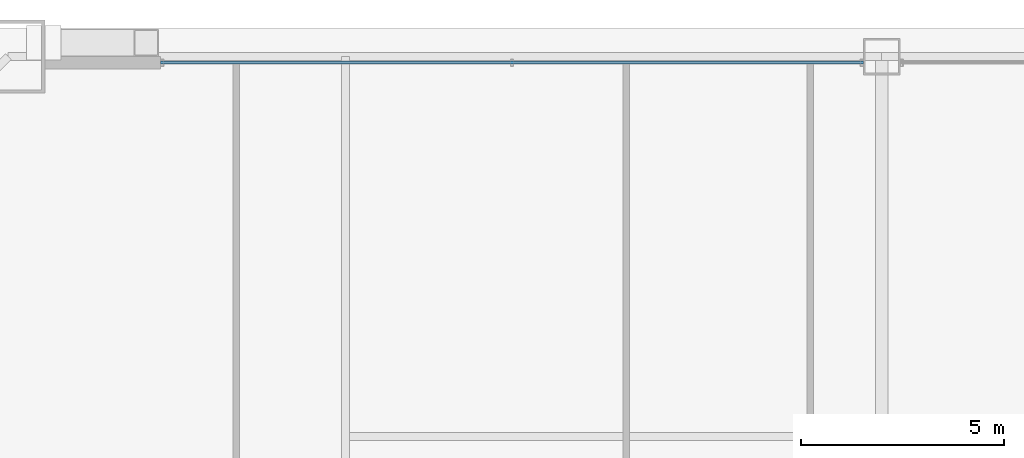
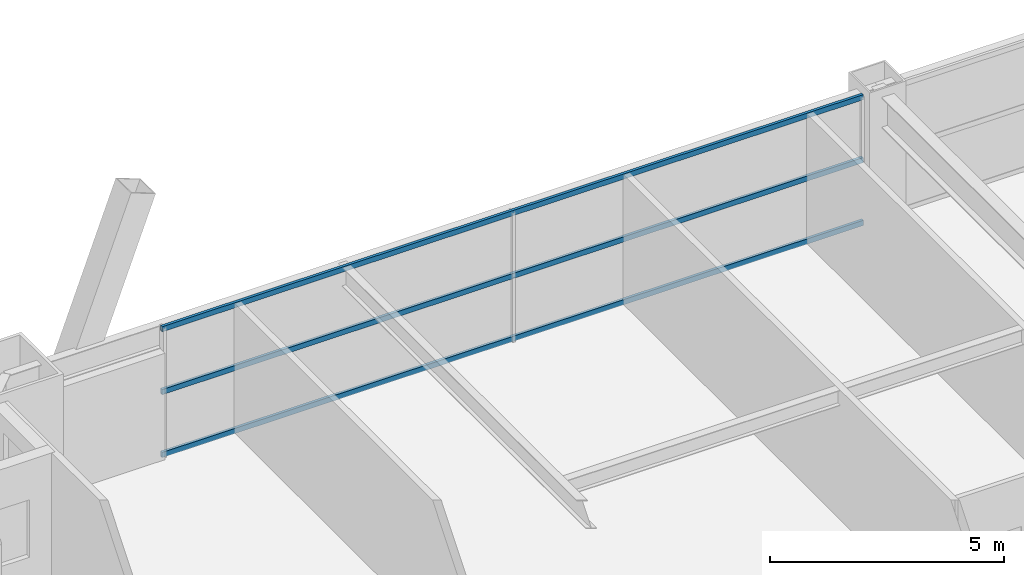
# One storey, part 29 of 43: 3 members, 1 element without a shape of its own.
"""IFC4 building model written with IfcOpenShell, lengths in metres."""

from ifc_helpers import new_model, si_unit, direction, frame, origin, origin_2d, place, context, subcontext, project, spatial, hollow_rectangle, extrude, source, transform, mapped, material, layer, layer_set, material_profile, profile_set, type_object, element, aggregate, save


model = new_model("IFC4")

# Units and contexts
model_context = context("Model", 3, precision=1e-05, world=origin(), true_north=direction((0.0, 1.0)))
body_context = subcontext(model_context, "Body", "Model", "MODEL_VIEW")
ifc_project = project(units=[si_unit("LENGTHUNIT", "METRE"), si_unit("AREAUNIT", "SQUARE_METRE"), si_unit("VOLUMEUNIT", "CUBIC_METRE"), si_unit("PLANEANGLEUNIT", "RADIAN"), si_unit("MASSUNIT", "GRAM", prefix="KILO"), si_unit("THERMODYNAMICTEMPERATUREUNIT", "KELVIN"), si_unit("POWERUNIT", "WATT")], contexts=[model_context])

# Site, building, storey
site_placement = place(None, origin())
site = spatial("IfcSite", under=ifc_project, at=site_placement, CompositionType="ELEMENT")
building_placement = place(site_placement, origin())
building = spatial("IfcBuilding", under=site, at=building_placement, Name="Yuzanri Waterfront Tower", CompositionType="ELEMENT")
storey_placement = place(building_placement, frame((0.0, 0.0, 67.60009765625)))
storey = spatial("IfcBuildingStorey", under=building, at=storey_placement, Name="L17", CompositionType="ELEMENT", Elevation=67.60009765625)

# Curtain wall, members
ifc_material_1 = material(Name="Anodized Architectural Bronze", Category="metal")
ifc_layer = layer(ifc_material_1, 0.159912109375)
ifc_layer_set = layer_set([ifc_layer], Name="Anodized Architectural Bronze")
curtain_wall_type = type_object("IfcCurtainWallType", Name="Anodized Bronze Hotel Lower-Tier Recessed Unitized Curtain Wall 8100", PredefinedType="NOTDEFINED", material=ifc_layer_set)
curtain_wall_placement = place(storey_placement, origin())
curtain_wall = element("IfcCurtainWall", 1, at=curtain_wall_placement, inside=storey, type_object=curtain_wall_type, Name="L17 Curtain Wall CW-L17-NL", PredefinedType="NOTDEFINED")
ifc_material_2 = material(Name="Anodized Architectural Bronze", Category="metal")
ifc_material_profile = material_profile(ifc_material_2, hollow_rectangle(XDim=0.070068359375, YDim=0.135009765625, WallThickness=0.00341796875, at=origin_2d()), Name="CWT 70x135")
ifc_profile_set = profile_set([ifc_material_profile], Name="Anodized Architectural Bronze")
member_type = type_object("IfcMemberType", Name="Anodized Bronze Standard Curtain-Wall Transom 70x135", PredefinedType="USERDEFINED", material=ifc_profile_set)
shared_shape = source(origin(), body_context, "Body", "SweptSolid", [
    extrude(hollow_rectangle(XDim=0.070068359375, YDim=0.135009765625, WallThickness=0.00341796875, at=origin_2d()), origin(), (0.0, 0.0, 1.0), 17.300048828125),
])
member_1_placement = place(storey_placement, frame((19.25, 50.75, 0.0498046875), z_axis=(1.0, 0.0, 0.0), x_axis=(0.0, 1.0, 0.0)))
member_1 = element("IfcMember", 2, at=member_1_placement, type_object=member_type, Name="CW-L17-NL Transom 1", ObjectType="TRANSOM", PredefinedType="USERDEFINED", context=body_context, shape_type="MappedRepresentation", body=[
    mapped(shared_shape, transform((0.0, 0.0, 0.0), scale=1.0)),
])
member_2_placement = place(storey_placement, frame((19.25, 50.75, 1.68994140625), z_axis=(1.0, 0.0, 0.0), x_axis=(0.0, 1.0, 0.0)))
member_2 = element("IfcMember", 3, at=member_2_placement, type_object=member_type, Name="CW-L17-NL Transom 2", ObjectType="TRANSOM", PredefinedType="USERDEFINED", context=body_context, shape_type="MappedRepresentation", body=[
    mapped(shared_shape, transform((0.0, 0.0, 0.0), scale=1.0)),
])
member_3_placement = place(storey_placement, frame((19.25, 50.75, 3.329833984375), z_axis=(1.0, 0.0, 0.0), x_axis=(0.0, 1.0, 0.0)))
member_3 = element("IfcMember", 4, at=member_3_placement, type_object=member_type, Name="CW-L17-NL Transom 3", ObjectType="TRANSOM", PredefinedType="USERDEFINED", context=body_context, shape_type="MappedRepresentation", body=[
    mapped(shared_shape, transform((0.0, 0.0, 0.0), scale=1.0)),
])
aggregate(curtain_wall, [member_1, member_2, member_3])

save(model, "model.ifc")
